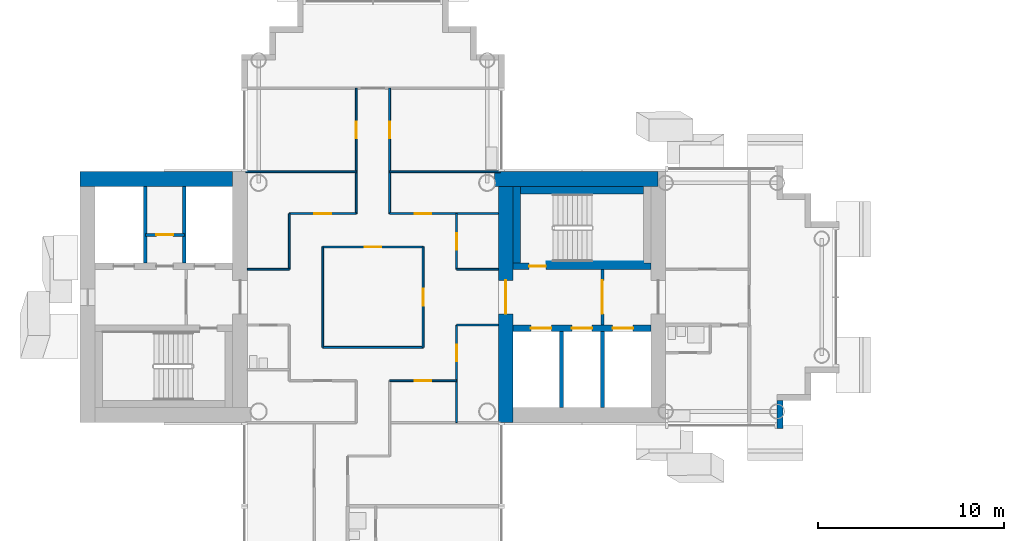
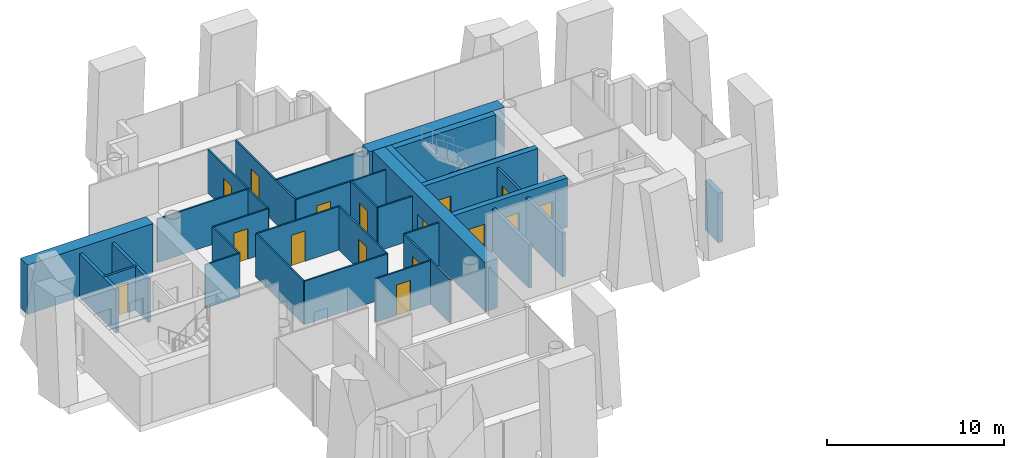
# One storey, part 7 of 18: 32 walls, 16 doors, 16 openings.
"""IFC4 building model written with IfcOpenShell, lengths in metres."""

from ifc_helpers import new_model, si_unit, direction, frame, frame_2d, origin, place, context, subcontext, project, spatial, rectangle, extrude, material, layer, layer_set, type_object, element, fill, save


model = new_model("IFC4")

# Units and contexts
model_context = context("Model", 3, precision=1e-05, world=origin(), true_north=direction((0.0, 1.0)))
body_context = subcontext(model_context, "Body", "Model", "MODEL_VIEW")
ifc_project = project(units=[si_unit("LENGTHUNIT", "METRE"), si_unit("AREAUNIT", "SQUARE_METRE"), si_unit("VOLUMEUNIT", "CUBIC_METRE"), si_unit("PLANEANGLEUNIT", "RADIAN"), si_unit("MASSUNIT", "GRAM", prefix="KILO")], contexts=[model_context])

# Site, building, storey
site_placement = place(None, origin())
site = spatial("IfcSite", under=ifc_project, at=site_placement, CompositionType="ELEMENT")
building_placement = place(site_placement, origin())
building = spatial("IfcBuilding", under=site, at=building_placement, Name="Ipe Terrace Towers", CompositionType="ELEMENT")
storey_placement = place(building_placement, frame((0.0, 0.0, 143.89990234375)))
storey = spatial("IfcBuildingStorey", under=building, at=storey_placement, Name="L39", CompositionType="ELEMENT", Elevation=143.89990234375)

# Walls
ifc_material_1 = material(Name="Concrete C40/50 with buff precast cladding", Category="concrete")
ifc_layer_1 = layer(ifc_material_1, 0.320068359375)
ifc_layer_set_1 = layer_set([ifc_layer_1], Name="BUFF CLADDING WALL 320")
wall_type_1 = type_object("IfcWallType", Name="BUFF CLADDING WALL 320", PredefinedType="STANDARD", material=ifc_layer_set_1)
wall_1_placement = place(storey_placement, frame((-14.090087890625, -7.070068359375, -0.2998046875), z_axis=(0.0, 0.0, 1.0), x_axis=(0.0, 1.0, 0.0)))
element("IfcWall", 1, at=wall_1_placement, inside=storey, type_object=wall_type_1, Name="T1-W-L39-17a wall", PredefinedType="STANDARD", context=body_context, shape_type="SweptSolid", body=[
    extrude(rectangle(XDim=1.5, YDim=0.320068359375, at=frame_2d((0.75, 0.0))), origin(), (0.0, 0.0, 1.0), 3.39990234375),
])
ifc_material_2 = material(Name="Gypsum board partition", Category="plasterboard")
ifc_layer_2 = layer(ifc_material_2, 0.10009765625)
ifc_layer_set_2 = layer_set([ifc_layer_2], Name="Gypsum board partition 100 mm")
wall_type_2 = type_object("IfcWallType", Name="Gypsum board partition 100 mm", PredefinedType="PARTITIONING", material=ifc_layer_set_2)
wall_2_placement = place(storey_placement, frame((-40.5, 1.5, 0.0), z_axis=(0.0, 0.0, 1.0), x_axis=(0.0, 1.0, 0.0)))
element("IfcWall", 2, at=wall_2_placement, inside=storey, type_object=wall_type_2, Name="Gypsum board partition T1 L39 W02", PredefinedType="PARTITIONING", context=body_context, shape_type="SweptSolid", body=[
    extrude(rectangle(XDim=3.0, YDim=0.10009765625, at=frame_2d((1.5, 0.0))), origin(), (0.0, 0.0, 1.0), 3.0),
])
wall_3_placement = place(storey_placement, frame((-38.699951171875, -2.699951171875, 0.0), z_axis=(0.0, 0.0, 1.0), x_axis=(0.0, 1.0, 0.0)))
element("IfcWall", 3, at=wall_3_placement, inside=storey, type_object=wall_type_2, Name="Gypsum board partition T1 L39 W04", PredefinedType="PARTITIONING", context=body_context, shape_type="SweptSolid", body=[
    extrude(rectangle(XDim=5.39990234375, YDim=0.10009765625, at=frame_2d((2.699951171875, 0.0))), origin(), (0.0, 0.0, 1.0), 3.0),
])

# Wall, opening, door
wall_4_placement = place(storey_placement, frame((-36.89990234375, 4.5, 0.0), z_axis=(0.0, 0.0, 1.0), x_axis=(0.0, 1.0, 0.0)))
wall_4 = element("IfcWall", 4, at=wall_4_placement, inside=storey, type_object=wall_type_2, Name="Gypsum board partition T1 L39 W08", PredefinedType="PARTITIONING", context=body_context, shape_type="SweptSolid", body=[
    extrude(rectangle(XDim=6.75, YDim=0.10009765625, at=frame_2d((3.375, 0.0))), origin(), (0.0, 0.0, 1.0), 3.0),
])
opening_1_placement = place(wall_4_placement, frame((4.050048828125, 0.0, 0.0)))
opening_1 = element("IfcOpeningElement", 5, at=opening_1_placement, cuts=wall_4, Name="Opening T1-Z3B-10", PredefinedType="OPENING", context=body_context, shape_type="SweptSolid", body=[
    extrude(rectangle(XDim=0.89990234375, YDim=2.10009765625, at=frame_2d((0.449951171875, 1.050048828125))), frame((0.0, 0.06005859375, 0.0), z_axis=(0.0, -1.0, 0.0), x_axis=(1.0, 0.0, 0.0)), (0.0, 0.0, 1.0), 0.1201171875),
])
ifc_material_3 = material(Name="Timber door leaf", Category="wood")
door_type_1 = type_object("IfcDoorType", Name="Lounge door 900 x 2100", OperationType="NOTDEFINED", PredefinedType="DOOR", material=ifc_material_3)
door_1_placement = place(opening_1_placement, origin())
door_1 = element("IfcDoor", 6, at=door_1_placement, inside=storey, type_object=door_type_1, Name="Lounge door T1-Z3B-10", OperationType="SINGLE_SWING_LEFT", OverallHeight=2.10009765625, OverallWidth=0.89990234375, PredefinedType="DOOR", context=body_context, shape_type="SweptSolid", body=[
    extrude(rectangle(XDim=0.89990234375, YDim=2.10009765625, at=frame_2d((0.449951171875, 1.050048828125))), frame((0.0, 0.02490234375, 0.0), z_axis=(0.0, -1.0, 0.0), x_axis=(1.0, 0.0, 0.0)), (0.0, 0.0, 1.0), 0.050048828125),
])
fill(opening_1, door_1)

wall_5_placement = place(storey_placement, frame((-35.10009765625, 4.5, 0.0), z_axis=(0.0, 0.0, 1.0), x_axis=(0.0, 1.0, 0.0)))
wall_5 = element("IfcWall", 7, at=wall_5_placement, inside=storey, type_object=wall_type_2, Name="Gypsum board partition T1 L39 W11", PredefinedType="PARTITIONING", context=body_context, shape_type="SweptSolid", body=[
    extrude(rectangle(XDim=6.75, YDim=0.10009765625, at=frame_2d((3.375, 0.0))), origin(), (0.0, 0.0, 1.0), 3.0),
])
opening_2_placement = place(wall_5_placement, frame((4.050048828125, 0.0, 0.0)))
opening_2 = element("IfcOpeningElement", 8, at=opening_2_placement, cuts=wall_5, Name="Opening T1-Z3B-11", PredefinedType="OPENING", context=body_context, shape_type="SweptSolid", body=[
    extrude(rectangle(XDim=0.89990234375, YDim=2.10009765625, at=frame_2d((0.449951171875, 1.050048828125))), frame((0.0, 0.06005859375, 0.0), z_axis=(0.0, -1.0, 0.0), x_axis=(1.0, 0.0, 0.0)), (0.0, 0.0, 1.0), 0.1201171875),
])
door_2_placement = place(opening_2_placement, origin())
door_2 = element("IfcDoor", 9, at=door_2_placement, inside=storey, type_object=door_type_1, Name="Lounge door T1-Z3B-11", OperationType="SINGLE_SWING_RIGHT", OverallHeight=2.10009765625, OverallWidth=0.89990234375, PredefinedType="DOOR", context=body_context, shape_type="SweptSolid", body=[
    extrude(rectangle(XDim=0.89990234375, YDim=2.10009765625, at=frame_2d((0.449951171875, 1.050048828125))), frame((0.0, 0.02490234375, 0.0), z_axis=(0.0, -1.0, 0.0), x_axis=(1.0, 0.0, 0.0)), (0.0, 0.0, 1.0), 0.050048828125),
])
fill(opening_2, door_2)

wall_6_placement = place(storey_placement, frame((-33.300048828125, -2.699951171875, 0.0), z_axis=(0.0, 0.0, 1.0), x_axis=(0.0, 1.0, 0.0)))
wall_6 = element("IfcWall", 10, at=wall_6_placement, inside=storey, type_object=wall_type_2, Name="Gypsum board partition T1 L39 W12", PredefinedType="PARTITIONING", context=body_context, shape_type="SweptSolid", body=[
    extrude(rectangle(XDim=5.39990234375, YDim=0.10009765625, at=frame_2d((2.699951171875, 0.0))), origin(), (0.0, 0.0, 1.0), 3.0),
])
opening_3_placement = place(wall_6_placement, frame((2.25, 0.0, 0.0)))
opening_3 = element("IfcOpeningElement", 11, at=opening_3_placement, cuts=wall_6, Name="Opening T1-Z3B-02", PredefinedType="OPENING", context=body_context, shape_type="SweptSolid", body=[
    extrude(rectangle(XDim=0.89990234375, YDim=2.10009765625, at=frame_2d((0.449951171875, 1.050048828125))), frame((0.0, 0.06005859375, 0.0), z_axis=(0.0, -1.0, 0.0), x_axis=(1.0, 0.0, 0.0)), (0.0, 0.0, 1.0), 0.1201171875),
])
door_3_placement = place(opening_3_placement, origin())
door_3 = element("IfcDoor", 12, at=door_3_placement, inside=storey, type_object=door_type_1, Name="Lounge door T1-Z3B-02", OperationType="SINGLE_SWING_LEFT", OverallHeight=2.10009765625, OverallWidth=0.89990234375, PredefinedType="DOOR", context=body_context, shape_type="SweptSolid", body=[
    extrude(rectangle(XDim=0.89990234375, YDim=2.10009765625, at=frame_2d((0.449951171875, 1.050048828125))), frame((0.0, 0.02490234375, 0.0), z_axis=(0.0, -1.0, 0.0), x_axis=(1.0, 0.0, 0.0)), (0.0, 0.0, 1.0), 0.050048828125),
])
fill(opening_3, door_3)

wall_7_placement = place(storey_placement, frame((-31.5, -6.75, 0.0), z_axis=(0.0, 0.0, 1.0), x_axis=(0.0, 1.0, 0.0)))
wall_7 = element("IfcWall", 13, at=wall_7_placement, inside=storey, type_object=wall_type_2, Name="Gypsum board partition T1 L39 W13", PredefinedType="PARTITIONING", context=body_context, shape_type="SweptSolid", body=[
    extrude(rectangle(XDim=5.25, YDim=0.10009765625, at=frame_2d((2.625, 0.0))), origin(), (0.0, 0.0, 1.0), 3.0),
])
opening_4_placement = place(wall_7_placement, frame((3.300048828125, 0.0, 0.0)))
opening_4 = element("IfcOpeningElement", 14, at=opening_4_placement, cuts=wall_7, Name="Opening T1-Z3B-09", PredefinedType="OPENING", context=body_context, shape_type="SweptSolid", body=[
    extrude(rectangle(XDim=0.89990234375, YDim=2.10009765625, at=frame_2d((0.449951171875, 1.050048828125))), frame((0.0, 0.06005859375, 0.0), z_axis=(0.0, -1.0, 0.0), x_axis=(1.0, 0.0, 0.0)), (0.0, 0.0, 1.0), 0.1201171875),
])
door_4_placement = place(opening_4_placement, origin())
door_4 = element("IfcDoor", 15, at=door_4_placement, inside=storey, type_object=door_type_1, Name="Lounge door T1-Z3B-09", OperationType="SINGLE_SWING_RIGHT", OverallHeight=2.10009765625, OverallWidth=0.89990234375, PredefinedType="DOOR", context=body_context, shape_type="SweptSolid", body=[
    extrude(rectangle(XDim=0.89990234375, YDim=2.10009765625, at=frame_2d((0.449951171875, 1.050048828125))), frame((0.0, 0.02490234375, 0.0), z_axis=(0.0, -1.0, 0.0), x_axis=(1.0, 0.0, 0.0)), (0.0, 0.0, 1.0), 0.050048828125),
])
fill(opening_4, door_4)

wall_8_placement = place(storey_placement, frame((-31.5, 1.5, 0.0), z_axis=(0.0, 0.0, 1.0), x_axis=(0.0, 1.0, 0.0)))
wall_8 = element("IfcWall", 16, at=wall_8_placement, inside=storey, type_object=wall_type_2, Name="Gypsum board partition T1 L39 W14", PredefinedType="PARTITIONING", context=body_context, shape_type="SweptSolid", body=[
    extrude(rectangle(XDim=3.0, YDim=0.10009765625, at=frame_2d((1.5, 0.0))), origin(), (0.0, 0.0, 1.0), 3.0),
])
opening_5_placement = place(wall_8_placement, frame((1.050048828125, 0.0, 0.0)))
opening_5 = element("IfcOpeningElement", 17, at=opening_5_placement, cuts=wall_8, Name="Opening T1-Z3B-05", PredefinedType="OPENING", context=body_context, shape_type="SweptSolid", body=[
    extrude(rectangle(XDim=0.89990234375, YDim=2.10009765625, at=frame_2d((0.449951171875, 1.050048828125))), frame((0.0, 0.06005859375, 0.0), z_axis=(0.0, -1.0, 0.0), x_axis=(1.0, 0.0, 0.0)), (0.0, 0.0, 1.0), 0.1201171875),
])
door_5_placement = place(opening_5_placement, origin())
door_5 = element("IfcDoor", 18, at=door_5_placement, inside=storey, type_object=door_type_1, Name="Lounge door T1-Z3B-05", OperationType="SINGLE_SWING_RIGHT", OverallHeight=2.10009765625, OverallWidth=0.89990234375, PredefinedType="DOOR", context=body_context, shape_type="SweptSolid", body=[
    extrude(rectangle(XDim=0.89990234375, YDim=2.10009765625, at=frame_2d((0.449951171875, 1.050048828125))), frame((0.0, 0.02490234375, 0.0), z_axis=(0.0, -1.0, 0.0), x_axis=(1.0, 0.0, 0.0)), (0.0, 0.0, 1.0), 0.050048828125),
])
fill(opening_5, door_5)

wall_9_placement = place(storey_placement, frame((-35.10009765625, -4.5, 0.0), z_axis=(0.0, 0.0, 1.0), x_axis=(1.0, 0.0, 0.0)))
wall_9 = element("IfcWall", 19, at=wall_9_placement, inside=storey, type_object=wall_type_2, Name="Gypsum board partition T1 L39 W26", PredefinedType="PARTITIONING", context=body_context, shape_type="SweptSolid", body=[
    extrude(rectangle(XDim=3.60009765625, YDim=0.10009765625, at=frame_2d((1.800048828125, 0.0))), origin(), (0.0, 0.0, 1.0), 3.0),
])
opening_6_placement = place(wall_9_placement, frame((1.35009765625, 0.0, 0.0)))
opening_6 = element("IfcOpeningElement", 20, at=opening_6_placement, cuts=wall_9, Name="Opening T1-Z3B-08", PredefinedType="OPENING", context=body_context, shape_type="SweptSolid", body=[
    extrude(rectangle(XDim=0.89990234375, YDim=2.10009765625, at=frame_2d((0.449951171875, 1.050048828125))), frame((0.0, 0.06005859375, 0.0), z_axis=(0.0, -1.0, 0.0), x_axis=(1.0, 0.0, 0.0)), (0.0, 0.0, 1.0), 0.1201171875),
])
door_6_placement = place(opening_6_placement, origin())
door_6 = element("IfcDoor", 21, at=door_6_placement, inside=storey, type_object=door_type_1, Name="Lounge door T1-Z3B-08", OperationType="SINGLE_SWING_RIGHT", OverallHeight=2.10009765625, OverallWidth=0.89990234375, PredefinedType="DOOR", context=body_context, shape_type="SweptSolid", body=[
    extrude(rectangle(XDim=0.89990234375, YDim=2.10009765625, at=frame_2d((0.449951171875, 1.050048828125))), frame((0.0, 0.02490234375, 0.0), z_axis=(0.0, -1.0, 0.0), x_axis=(1.0, 0.0, 0.0)), (0.0, 0.0, 1.0), 0.050048828125),
])
fill(opening_6, door_6)

# Walls
wall_10_placement = place(storey_placement, frame((-38.699951171875, -2.699951171875, 0.0), z_axis=(0.0, 0.0, 1.0), x_axis=(1.0, 0.0, 0.0)))
element("IfcWall", 22, at=wall_10_placement, inside=storey, type_object=wall_type_2, Name="Gypsum board partition T1 L39 W29", PredefinedType="PARTITIONING", context=body_context, shape_type="SweptSolid", body=[
    extrude(rectangle(XDim=5.39990234375, YDim=0.10009765625, at=frame_2d((2.699951171875, 0.0))), origin(), (0.0, 0.0, 1.0), 3.0),
])
for number, where, z_axis, x_axis, name in (
    (23, (-31.5, -1.5, 0.0), (0.0, 0.0, 1.0), (1.0, 0.0, 0.0), "Gypsum board partition T1 L39 W31"),
    (24, (-42.75, 1.5, 0.0), (0.0, 0.0, 1.0), (1.0, 0.0, 0.0), "Gypsum board partition T1 L39 W33"),
    (25, (-31.5, 1.5, 0.0), (0.0, 0.0, 1.0), (1.0, 0.0, 0.0), "Gypsum board partition T1 L39 W34"),
):
    element("IfcWall", number, at=place(storey_placement, frame(where, z_axis=z_axis, x_axis=x_axis)), inside=storey, type_object=wall_type_2, Name=name, PredefinedType="PARTITIONING", context=body_context, shape_type="SweptSolid", body=[
        extrude(rectangle(XDim=2.25, YDim=0.10009765625, at=frame_2d((1.125, 0.0))), origin(), (0.0, 0.0, 1.0), 3.0),
    ])

# Wall, opening, door
wall_11_placement = place(storey_placement, frame((-38.699951171875, 2.699951171875, 0.0), z_axis=(0.0, 0.0, 1.0), x_axis=(1.0, 0.0, 0.0)))
wall_11 = element("IfcWall", 26, at=wall_11_placement, inside=storey, type_object=wall_type_2, Name="Gypsum board partition T1 L39 W36", PredefinedType="PARTITIONING", context=body_context, shape_type="SweptSolid", body=[
    extrude(rectangle(XDim=5.39990234375, YDim=0.10009765625, at=frame_2d((2.699951171875, 0.0))), origin(), (0.0, 0.0, 1.0), 3.0),
])
opening_7_placement = place(wall_11_placement, frame((2.25, 0.0, 0.0)))
opening_7 = element("IfcOpeningElement", 27, at=opening_7_placement, cuts=wall_11, Name="Opening T1-Z3B-01", PredefinedType="OPENING", context=body_context, shape_type="SweptSolid", body=[
    extrude(rectangle(XDim=0.89990234375, YDim=2.10009765625, at=frame_2d((0.449951171875, 1.050048828125))), frame((0.0, 0.06005859375, 0.0), z_axis=(0.0, -1.0, 0.0), x_axis=(1.0, 0.0, 0.0)), (0.0, 0.0, 1.0), 0.1201171875),
])
door_7_placement = place(opening_7_placement, origin())
door_7 = element("IfcDoor", 28, at=door_7_placement, inside=storey, type_object=door_type_1, Name="Lounge door T1-Z3B-01", OperationType="SINGLE_SWING_RIGHT", OverallHeight=2.10009765625, OverallWidth=0.89990234375, PredefinedType="DOOR", context=body_context, shape_type="SweptSolid", body=[
    extrude(rectangle(XDim=0.89990234375, YDim=2.10009765625, at=frame_2d((0.449951171875, 1.050048828125))), frame((0.0, 0.02490234375, 0.0), z_axis=(0.0, -1.0, 0.0), x_axis=(1.0, 0.0, 0.0)), (0.0, 0.0, 1.0), 0.050048828125),
])
fill(opening_7, door_7)

wall_12_placement = place(storey_placement, frame((-40.5, 4.5, 0.0), z_axis=(0.0, 0.0, 1.0), x_axis=(1.0, 0.0, 0.0)))
wall_12 = element("IfcWall", 29, at=wall_12_placement, inside=storey, type_object=wall_type_2, Name="Gypsum board partition T1 L39 W37", PredefinedType="PARTITIONING", context=body_context, shape_type="SweptSolid", body=[
    extrude(rectangle(XDim=3.60009765625, YDim=0.10009765625, at=frame_2d((1.800048828125, 0.0))), origin(), (0.0, 0.0, 1.0), 3.0),
])
opening_8_placement = place(wall_12_placement, frame((1.35009765625, 0.0, 0.0)))
opening_8 = element("IfcOpeningElement", 30, at=opening_8_placement, cuts=wall_12, Name="Opening T1-Z3B-06", PredefinedType="OPENING", context=body_context, shape_type="SweptSolid", body=[
    extrude(rectangle(XDim=0.89990234375, YDim=2.10009765625, at=frame_2d((0.449951171875, 1.050048828125))), frame((0.0, 0.06005859375, 0.0), z_axis=(0.0, -1.0, 0.0), x_axis=(1.0, 0.0, 0.0)), (0.0, 0.0, 1.0), 0.1201171875),
])
door_8_placement = place(opening_8_placement, origin())
door_8 = element("IfcDoor", 31, at=door_8_placement, inside=storey, type_object=door_type_1, Name="Lounge door T1-Z3B-06", OperationType="SINGLE_SWING_LEFT", OverallHeight=2.10009765625, OverallWidth=0.89990234375, PredefinedType="DOOR", context=body_context, shape_type="SweptSolid", body=[
    extrude(rectangle(XDim=0.89990234375, YDim=2.10009765625, at=frame_2d((0.449951171875, 1.050048828125))), frame((0.0, 0.02490234375, 0.0), z_axis=(0.0, -1.0, 0.0), x_axis=(1.0, 0.0, 0.0)), (0.0, 0.0, 1.0), 0.050048828125),
])
fill(opening_8, door_8)

wall_13_placement = place(storey_placement, frame((-35.10009765625, 4.5, 0.0), z_axis=(0.0, 0.0, 1.0), x_axis=(1.0, 0.0, 0.0)))
wall_13 = element("IfcWall", 32, at=wall_13_placement, inside=storey, type_object=wall_type_2, Name="Gypsum board partition T1 L39 W38", PredefinedType="PARTITIONING", context=body_context, shape_type="SweptSolid", body=[
    extrude(rectangle(XDim=5.85009765625, YDim=0.10009765625, at=frame_2d((2.925048828125, 0.0))), origin(), (0.0, 0.0, 1.0), 3.0),
])
opening_9_placement = place(wall_13_placement, frame((1.35009765625, 0.0, 0.0)))
opening_9 = element("IfcOpeningElement", 33, at=opening_9_placement, cuts=wall_13, Name="Opening T1-Z3B-04", PredefinedType="OPENING", context=body_context, shape_type="SweptSolid", body=[
    extrude(rectangle(XDim=0.89990234375, YDim=2.10009765625, at=frame_2d((0.449951171875, 1.050048828125))), frame((0.0, 0.06005859375, 0.0), z_axis=(0.0, -1.0, 0.0), x_axis=(1.0, 0.0, 0.0)), (0.0, 0.0, 1.0), 0.1201171875),
])
door_9_placement = place(opening_9_placement, origin())
door_9 = element("IfcDoor", 34, at=door_9_placement, inside=storey, type_object=door_type_1, Name="Lounge door T1-Z3B-04", OperationType="SINGLE_SWING_RIGHT", OverallHeight=2.10009765625, OverallWidth=0.89990234375, PredefinedType="DOOR", context=body_context, shape_type="SweptSolid", body=[
    extrude(rectangle(XDim=0.89990234375, YDim=2.10009765625, at=frame_2d((0.449951171875, 1.050048828125))), frame((0.0, 0.02490234375, 0.0), z_axis=(0.0, -1.0, 0.0), x_axis=(1.0, 0.0, 0.0)), (0.0, 0.0, 1.0), 0.050048828125),
])
fill(opening_9, door_9)

# Walls
for number, where, z_axis, x_axis, name in (
    (35, (-42.85009765625, 6.75, 0.0), (0.0, 0.0, 1.0), (1.0, 0.0, 0.0), "Gypsum board partition T1 L39 W39"),
    (36, (-35.10009765625, 6.75, 0.0), (0.0, 0.0, 1.0), (1.0, 0.0, 0.0), "Gypsum board partition T1 L39 W40"),
):
    element("IfcWall", number, at=place(storey_placement, frame(where, z_axis=z_axis, x_axis=x_axis)), inside=storey, type_object=wall_type_2, Name=name, PredefinedType="PARTITIONING", context=body_context, shape_type="SweptSolid", body=[
        extrude(rectangle(XDim=5.9501953125, YDim=0.10009765625, at=frame_2d((2.97509765625, 0.0))), origin(), (0.0, 0.0, 1.0), 3.0),
    ])

# Wall, opening, door
ifc_material_4 = material(Name="Gypsum board partition", Category="plasterboard")
ifc_layer_3 = layer(ifc_material_4, 0.14990234375)
ifc_layer_set_3 = layer_set([ifc_layer_3], Name="Gypsum board partition 150 mm")
wall_type_3 = type_object("IfcWallType", Name="Gypsum board partition 150 mm", PredefinedType="PARTITIONING", material=ifc_layer_set_3)
wall_14_placement = place(storey_placement, frame((-23.64990234375, -1.5, 0.0), z_axis=(0.0, 0.0, 1.0), x_axis=(0.0, 1.0, 0.0)))
wall_14 = element("IfcWall", 37, at=wall_14_placement, inside=storey, type_object=wall_type_3, Name="Gypsum board partition T1 L39 t1c1-lobby-wall", PredefinedType="PARTITIONING", context=body_context, shape_type="SweptSolid", body=[
    extrude(rectangle(XDim=3.0, YDim=0.14990234375, at=frame_2d((1.5, 0.0))), origin(), (0.0, 0.0, 1.0), 3.0),
])
opening_10_placement = place(wall_14_placement, frame((0.60009765625, 0.0, 0.0)))
opening_10 = element("IfcOpeningElement", 38, at=opening_10_placement, cuts=wall_14, Name="Opening T1C1-VD", PredefinedType="OPENING", context=body_context, shape_type="SweptSolid", body=[
    extrude(rectangle(XDim=1.800048828125, YDim=2.10009765625, at=frame_2d((0.89990234375, 1.050048828125))), frame((0.0, 0.0849609375, 0.0), z_axis=(0.0, -1.0, 0.0), x_axis=(1.0, 0.0, 0.0)), (0.0, 0.0, 1.0), 0.169921875),
])
ifc_material_5 = material(Name="Fire-rated timber door leaf", Category="wood")
door_type_2 = type_object("IfcDoorType", Name="Lobby door 1800 x 2100 FD60", OperationType="NOTDEFINED", PredefinedType="DOOR", material=ifc_material_5)
door_10_placement = place(opening_10_placement, origin())
door_10 = element("IfcDoor", 39, at=door_10_placement, inside=storey, type_object=door_type_2, Name="Lobby door T1C1-VD", OperationType="SINGLE_SWING_LEFT", OverallHeight=2.10009765625, OverallWidth=1.800048828125, PredefinedType="DOOR", context=body_context, shape_type="SweptSolid", body=[
    extrude(rectangle(XDim=1.800048828125, YDim=2.10009765625, at=frame_2d((0.89990234375, 1.050048828125))), frame((0.0, 0.02490234375, 0.0), z_axis=(0.0, -1.0, 0.0), x_axis=(1.0, 0.0, 0.0)), (0.0, 0.0, 1.0), 0.050048828125),
])
fill(opening_10, door_10)

wall_15_placement = place(storey_placement, frame((-46.14990234375, 3.35009765625, 0.0), z_axis=(0.0, 0.0, 1.0), x_axis=(-1.0, 0.0, 0.0)))
wall_15 = element("IfcWall", 40, at=wall_15_placement, inside=storey, type_object=wall_type_3, Name="Gypsum board partition T1 L39 t1c2-q-back", PredefinedType="PARTITIONING", context=body_context, shape_type="SweptSolid", body=[
    extrude(rectangle(XDim=2.10009765625, YDim=0.14990234375, at=frame_2d((1.050048828125, 0.0))), origin(), (0.0, 0.0, 1.0), 3.0),
])
opening_11_placement = place(wall_15_placement, frame((0.60009765625, 0.0, 0.0)))
opening_11 = element("IfcOpeningElement", 41, at=opening_11_placement, cuts=wall_15, Name="Opening T1C2-RB-FD30S", PredefinedType="OPENING", context=body_context, shape_type="SweptSolid", body=[
    extrude(rectangle(XDim=0.89990234375, YDim=2.10009765625, at=frame_2d((0.449951171875, 1.050048828125))), frame((0.0, 0.0849609375, 0.0), z_axis=(0.0, -1.0, 0.0), x_axis=(1.0, 0.0, 0.0)), (0.0, 0.0, 1.0), 0.169921875),
])
ifc_material_6 = material(Name="Fire-rated timber door leaf", Category="wood")
door_type_3 = type_object("IfcDoorType", Name="Service door 900 x 2100 FD30S", OperationType="NOTDEFINED", PredefinedType="DOOR", material=ifc_material_6)
door_11_placement = place(opening_11_placement, origin())
door_11 = element("IfcDoor", 42, at=door_11_placement, inside=storey, type_object=door_type_3, Name="Service door T1C2-RB-FD30S", OperationType="SINGLE_SWING_LEFT", OverallHeight=2.10009765625, OverallWidth=0.89990234375, PredefinedType="DOOR", context=body_context, shape_type="SweptSolid", body=[
    extrude(rectangle(XDim=0.89990234375, YDim=2.10009765625, at=frame_2d((0.449951171875, 1.050048828125))), frame((0.0, 0.02490234375, 0.0), z_axis=(0.0, -1.0, 0.0), x_axis=(1.0, 0.0, 0.0)), (0.0, 0.0, 1.0), 0.050048828125),
])
fill(opening_11, door_11)

# Walls
ifc_material_7 = material(Name="Gypsum board party wall", Category="plasterboard")
ifc_layer_4 = layer(ifc_material_7, 0.199951171875)
ifc_layer_set_4 = layer_set([ifc_layer_4], Name="Gypsum board party wall 200 mm")
wall_type_4 = type_object("IfcWallType", Name="Gypsum board party wall 200 mm", PredefinedType="SOLIDWALL", material=ifc_layer_set_4)
for number, where, z_axis, x_axis, name in (
    (43, (-25.85009765625, -5.949951171875, 0.0), (0.0, 0.0, 1.0), (0.0, 1.0, 0.0), "Gypsum board party wall T1 L39 t1c1-shaft-div1"),
    (44, (-23.64990234375, -5.949951171875, 0.0), (0.0, 0.0, 1.0), (0.0, 1.0, 0.0), "Gypsum board party wall T1 L39 t1c1-shaft-div2"),
    (45, (-48.25, 5.949951171875, 0.0), (0.0, 0.0, 1.0), (0.0, -1.0, 0.0), "Gypsum board party wall T1 L39 t1c2-shaft-div2"),
    (46, (-46.14990234375, 5.949951171875, 0.0), (0.0, 0.0, 1.0), (0.0, -1.0, 0.0), "Gypsum board party wall T1 L39 t1c2-shaft-div1"),
):
    element("IfcWall", number, at=place(storey_placement, frame(where, z_axis=z_axis, x_axis=x_axis)), inside=storey, type_object=wall_type_4, Name=name, PredefinedType="SOLIDWALL", context=body_context, shape_type="SweptSolid", body=[
        extrude(rectangle(XDim=4.099853515625, YDim=0.199951171875, at=frame_2d((2.0498046875, 0.0))), origin(), (0.0, 0.0, 1.0), 3.0),
    ])

# Wall, openings, doors
ifc_material_8 = material(Name="Concrete C50/60", Category="concrete")
ifc_layer_5 = layer(ifc_material_8, 0.35009765625)
ifc_layer_set_5 = layer_set([ifc_layer_5], Name="RW350 CORE SPINE WALL 350 C50-60")
wall_type_5 = type_object("IfcWallType", Name="RW350 CORE SPINE WALL 350 C50-60", PredefinedType="SHEAR", material=ifc_layer_set_5)
wall_16_placement = place(storey_placement, frame((-28.449951171875, -1.675048828125, 0.0), z_axis=(0.0, 0.0, 1.0), x_axis=(1.0, 0.0, 0.0)))
wall_16 = element("IfcWall", 47, at=wall_16_placement, inside=storey, type_object=wall_type_5, Name="Core spine wall T1-C1-Z3-SW1", PredefinedType="SHEAR", context=body_context, shape_type="SweptSolid", body=[
    extrude(rectangle(XDim=7.39990234375, YDim=0.35009765625, at=frame_2d((3.699951171875, 0.0))), origin(), (0.0, 0.0, 1.0), 3.400146484375),
])
opening_12_placement = place(wall_16_placement, frame((0.949951171875, 0.0, 0.0)))
opening_12 = element("IfcOpeningElement", 48, at=opening_12_placement, cuts=wall_16, Name="Opening T1C1-LD1", PredefinedType="OPENING", context=body_context, shape_type="SweptSolid", body=[
    extrude(rectangle(XDim=1.10009765625, YDim=2.10009765625, at=frame_2d((0.550048828125, 1.050048828125))), frame((0.0, 0.18505859375, 0.0), z_axis=(0.0, -1.0, 0.0), x_axis=(1.0, 0.0, 0.0)), (0.0, 0.0, 1.0), 0.3701171875),
])
opening_13_placement = place(wall_16_placement, frame((3.14990234375, 0.0, 0.0)))
opening_13 = element("IfcOpeningElement", 49, at=opening_13_placement, cuts=wall_16, Name="Opening T1C1-LD2", PredefinedType="OPENING", context=body_context, shape_type="SweptSolid", body=[
    extrude(rectangle(XDim=1.10009765625, YDim=2.10009765625, at=frame_2d((0.550048828125, 1.050048828125))), frame((0.0, 0.18505859375, 0.0), z_axis=(0.0, -1.0, 0.0), x_axis=(1.0, 0.0, 0.0)), (0.0, 0.0, 1.0), 0.3701171875),
])
opening_14_placement = place(wall_16_placement, frame((5.35009765625, 0.0, 0.0)))
opening_14 = element("IfcOpeningElement", 50, at=opening_14_placement, cuts=wall_16, Name="Opening T1C1-LD3", PredefinedType="OPENING", context=body_context, shape_type="SweptSolid", body=[
    extrude(rectangle(XDim=1.10009765625, YDim=2.10009765625, at=frame_2d((0.550048828125, 1.050048828125))), frame((0.0, 0.18505859375, 0.0), z_axis=(0.0, -1.0, 0.0), x_axis=(1.0, 0.0, 0.0)), (0.0, 0.0, 1.0), 0.3701171875),
])
ifc_material_9 = material(Name="Fire-rated timber door leaf", Category="wood")
door_type_4 = type_object("IfcDoorType", Name="Sliding door 1100 x 2100 FD60", OperationType="SLIDING_TO_LEFT", PredefinedType="DOOR", material=ifc_material_9)
door_12_placement = place(opening_12_placement, origin())
door_12 = element("IfcDoor", 51, at=door_12_placement, inside=storey, type_object=door_type_4, Name="Sliding door T1C1-LD1", OperationType="SLIDING_TO_LEFT", OverallHeight=2.10009765625, OverallWidth=1.10009765625, PredefinedType="DOOR", context=body_context, shape_type="SweptSolid", body=[
    extrude(rectangle(XDim=1.10009765625, YDim=2.10009765625, at=frame_2d((0.550048828125, 1.050048828125))), frame((0.0, 0.02490234375, 0.0), z_axis=(0.0, -1.0, 0.0), x_axis=(1.0, 0.0, 0.0)), (0.0, 0.0, 1.0), 0.050048828125),
])
fill(opening_12, door_12)
door_13_placement = place(opening_13_placement, origin())
door_13 = element("IfcDoor", 52, at=door_13_placement, inside=storey, type_object=door_type_4, Name="Sliding door T1C1-LD2", OperationType="SLIDING_TO_LEFT", OverallHeight=2.10009765625, OverallWidth=1.10009765625, PredefinedType="DOOR", context=body_context, shape_type="SweptSolid", body=[
    extrude(rectangle(XDim=1.10009765625, YDim=2.10009765625, at=frame_2d((0.550048828125, 1.050048828125))), frame((0.0, 0.02490234375, 0.0), z_axis=(0.0, -1.0, 0.0), x_axis=(1.0, 0.0, 0.0)), (0.0, 0.0, 1.0), 0.050048828125),
])
fill(opening_13, door_13)
door_14_placement = place(opening_14_placement, origin())
door_14 = element("IfcDoor", 53, at=door_14_placement, inside=storey, type_object=door_type_4, Name="Sliding door T1C1-LD3", OperationType="SLIDING_TO_LEFT", OverallHeight=2.10009765625, OverallWidth=1.10009765625, PredefinedType="DOOR", context=body_context, shape_type="SweptSolid", body=[
    extrude(rectangle(XDim=1.10009765625, YDim=2.10009765625, at=frame_2d((0.550048828125, 1.050048828125))), frame((0.0, 0.02490234375, 0.0), z_axis=(0.0, -1.0, 0.0), x_axis=(1.0, 0.0, 0.0)), (0.0, 0.0, 1.0), 0.050048828125),
])
fill(opening_14, door_14)

# Wall, opening, door
wall_17_placement = place(storey_placement, frame((-28.449951171875, 1.675048828125, 0.0), z_axis=(0.0, 0.0, 1.0), x_axis=(1.0, 0.0, 0.0)))
wall_17 = element("IfcWall", 54, at=wall_17_placement, inside=storey, type_object=wall_type_5, Name="Core spine wall T1-C1-Z3-SW2", PredefinedType="SHEAR", context=body_context, shape_type="SweptSolid", body=[
    extrude(rectangle(XDim=7.39990234375, YDim=0.35009765625, at=frame_2d((3.699951171875, 0.0))), origin(), (0.0, 0.0, 1.0), 3.400146484375),
])
opening_15_placement = place(wall_17_placement, frame((0.85009765625, 0.0, 0.0)))
opening_15 = element("IfcOpeningElement", 55, at=opening_15_placement, cuts=wall_17, Name="Opening T1C1-SD", PredefinedType="OPENING", context=body_context, shape_type="SweptSolid", body=[
    extrude(rectangle(XDim=0.89990234375, YDim=2.10009765625, at=frame_2d((0.449951171875, 1.050048828125))), frame((0.0, 0.18505859375, 0.0), z_axis=(0.0, -1.0, 0.0), x_axis=(1.0, 0.0, 0.0)), (0.0, 0.0, 1.0), 0.3701171875),
])
ifc_material_10 = material(Name="Fire-rated timber door leaf", Category="wood")
door_type_5 = type_object("IfcDoorType", Name="Stair door 900 x 2100 FD60", OperationType="NOTDEFINED", PredefinedType="DOOR", material=ifc_material_10)
door_15_placement = place(opening_15_placement, origin())
door_15 = element("IfcDoor", 56, at=door_15_placement, inside=storey, type_object=door_type_5, Name="Stair door T1C1-SD", OperationType="SINGLE_SWING_LEFT", OverallHeight=2.10009765625, OverallWidth=0.89990234375, PredefinedType="DOOR", context=body_context, shape_type="SweptSolid", body=[
    extrude(rectangle(XDim=0.89990234375, YDim=2.10009765625, at=frame_2d((0.449951171875, 1.050048828125))), frame((0.0, 0.02490234375, 0.0), z_axis=(0.0, -1.0, 0.0), x_axis=(1.0, 0.0, 0.0)), (0.0, 0.0, 1.0), 0.050048828125),
])
fill(opening_15, door_15)

# Walls
ifc_material_11 = material(Name="Concrete C50/60", Category="concrete")
ifc_layer_6 = layer(ifc_material_11, 0.39990234375)
ifc_layer_set_6 = layer_set([ifc_layer_6], Name="RW400 CORE INFILL WALL 400 C50-60")
wall_type_6 = type_object("IfcWallType", Name="RW400 CORE INFILL WALL 400 C50-60", PredefinedType="SHEAR", material=ifc_layer_set_6)
wall_18_placement = place(storey_placement, frame((-28.050048828125, 5.75, 0.0), z_axis=(0.0, 0.0, 1.0), x_axis=(1.0, 0.0, 0.0)))
element("IfcWall", 57, at=wall_18_placement, inside=storey, type_object=wall_type_6, Name="Core infill wall T1-C1-back", PredefinedType="SHEAR", context=body_context, shape_type="SweptSolid", body=[
    extrude(rectangle(XDim=6.60009765625, YDim=0.39990234375, at=frame_2d((3.300048828125, 0.0))), origin(), (0.0, 0.0, 1.0), 3.400146484375),
])
wall_19_placement = place(storey_placement, frame((-28.25, 1.85009765625, 0.0), z_axis=(0.0, 0.0, 1.0), x_axis=(0.0, 1.0, 0.0)))
element("IfcWall", 58, at=wall_19_placement, inside=storey, type_object=wall_type_6, Name="Core infill wall T1-C1-near", PredefinedType="SHEAR", context=body_context, shape_type="SweptSolid", body=[
    extrude(rectangle(XDim=4.099853515625, YDim=0.39990234375, at=frame_2d((2.0498046875, 0.0))), origin(), (0.0, 0.0, 1.0), 3.400146484375),
])
ifc_material_12 = material(Name="Concrete C50/60", Category="concrete")
ifc_layer_7 = layer(ifc_material_12, 0.050048828125)
ifc_layer_set_7 = layer_set([ifc_layer_7], Name="RW50 CORE INFILL WALL 50 C50-60")
wall_type_7 = type_object("IfcWallType", Name="RW50 CORE INFILL WALL 50 C50-60", PredefinedType="SHEAR", material=ifc_layer_set_7)
wall_20_placement = place(storey_placement, frame((-26.64990234375, 1.875, 0.0), z_axis=(0.0, 0.0, 1.0), x_axis=(1.0, 0.0, 0.0)))
element("IfcWall", 59, at=wall_20_placement, inside=storey, type_object=wall_type_7, Name="Core infill wall T1-C1-spine-b", PredefinedType="SHEAR", context=body_context, shape_type="SweptSolid", body=[
    extrude(rectangle(XDim=5.199951171875, YDim=0.050048828125, at=frame_2d((2.60009765625, 0.0))), origin(), (0.0, 0.0, 1.0), 3.400146484375),
])
ifc_material_13 = material(Name="Concrete C50/60", Category="concrete")
ifc_layer_8 = layer(ifc_material_13, 0.800048828125)
ifc_layer_set_8 = layer_set([ifc_layer_8], Name="RW800 CORE WALL 800 C50-60")
wall_type_8 = type_object("IfcWallType", Name="RW800 CORE WALL 800 C50-60", PredefinedType="SHEAR", material=ifc_layer_set_8)
wall_21_placement = place(storey_placement, frame((-20.652099609375, 6.35009765625, 0.0), z_axis=(0.0, 0.0, 1.0), x_axis=(-1.0, 0.0, 0.0)))
element("IfcWall", 60, at=wall_21_placement, inside=storey, type_object=wall_type_8, Name="Core wall T1-C1-Z3-W03", PredefinedType="SHEAR", context=body_context, shape_type="SweptSolid", body=[
    extrude(rectangle(XDim=8.7958984375, YDim=0.800048828125, at=frame_2d((4.39794921875, 0.0))), origin(), (0.0, 0.0, 1.0), 3.400146484375),
])

# Wall, opening, door
wall_22_placement = place(storey_placement, frame((-28.85009765625, 5.949951171875, 0.0), z_axis=(0.0, 0.0, 1.0), x_axis=(0.0, -1.0, 0.0)))
wall_22 = element("IfcWall", 61, at=wall_22_placement, inside=storey, type_object=wall_type_8, Name="Core wall T1-C1-Z3-W04", PredefinedType="SHEAR", context=body_context, shape_type="SweptSolid", body=[
    extrude(rectangle(XDim=12.699951171875, YDim=0.800048828125, at=frame_2d((6.35009765625, 0.0))), origin(), (0.0, 0.0, 1.0), 3.400146484375),
])
opening_16_placement = place(wall_22_placement, frame((5.050048828125, 0.0, 0.0)))
opening_16 = element("IfcOpeningElement", 62, at=opening_16_placement, cuts=wall_22, Name="Opening T1C1-ND", PredefinedType="OPENING", context=body_context, shape_type="SweptSolid", body=[
    extrude(rectangle(XDim=1.800048828125, YDim=2.10009765625, at=frame_2d((0.89990234375, 1.050048828125))), frame((0.0, 0.41015625, 0.0), z_axis=(0.0, -1.0, 0.0), x_axis=(1.0, 0.0, 0.0)), (0.0, 0.0, 1.0), 0.820068359375),
])
ifc_material_14 = material(Name="Fire-rated timber door leaf", Category="wood")
door_type_6 = type_object("IfcDoorType", Name="Fire door 1800 x 2100 FD30S", OperationType="NOTDEFINED", PredefinedType="DOOR", material=ifc_material_14)
door_16_placement = place(opening_16_placement, origin())
door_16 = element("IfcDoor", 63, at=door_16_placement, inside=storey, type_object=door_type_6, Name="Fire door T1C1-ND", OperationType="SINGLE_SWING_LEFT", OverallHeight=2.10009765625, OverallWidth=1.800048828125, PredefinedType="DOOR", context=body_context, shape_type="SweptSolid", body=[
    extrude(rectangle(XDim=1.800048828125, YDim=2.10009765625, at=frame_2d((0.89990234375, 1.050048828125))), frame((0.0, 0.02490234375, 0.0), z_axis=(0.0, -1.0, 0.0), x_axis=(1.0, 0.0, 0.0)), (0.0, 0.0, 1.0), 0.050048828125),
])
fill(opening_16, door_16)

# Wall
wall_23_placement = place(storey_placement, frame((-43.550048828125, 6.35009765625, 0.0), z_axis=(0.0, 0.0, 1.0), x_axis=(-1.0, 0.0, 0.0)))
element("IfcWall", 64, at=wall_23_placement, inside=storey, type_object=wall_type_8, Name="Core wall T1-C2-Z3-W03", PredefinedType="SHEAR", context=body_context, shape_type="SweptSolid", body=[
    extrude(rectangle(XDim=8.199951171875, YDim=0.800048828125, at=frame_2d((4.10009765625, 0.0))), origin(), (0.0, 0.0, 1.0), 3.400146484375),
])

save(model, "model.ifc")
